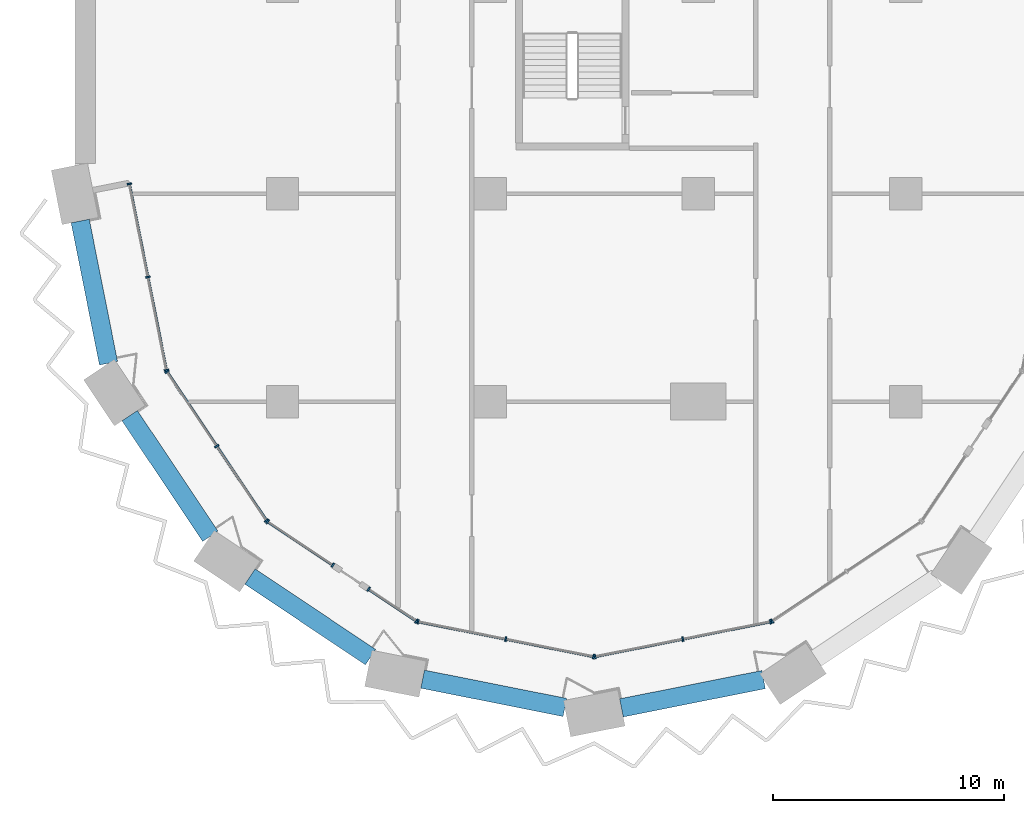
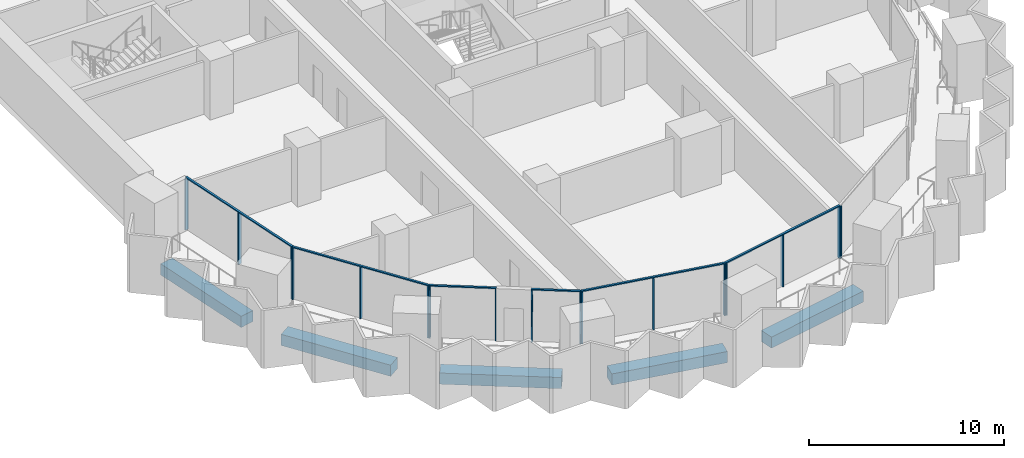
# One storey, part 2 of 29: 23 members, 5 beams, 7 elements without a shape of their own.
"""IFC4 building model written with IfcOpenShell, lengths in metres."""

from ifc_helpers import new_model, si_unit, direction, frame, origin, origin_2d, place, context, subcontext, project, spatial, rectangle, extrude, material, material_profile, profile_set, type_object, element, aggregate, save


model = new_model("IFC4")

# Units and contexts
model_context = context("Model", 3, precision=1e-05, world=origin(), true_north=direction((0.0, 1.0)))
body_context = subcontext(model_context, "Body", "Model", "MODEL_VIEW")
ifc_project = project(units=[si_unit("LENGTHUNIT", "METRE"), si_unit("AREAUNIT", "SQUARE_METRE"), si_unit("VOLUMEUNIT", "CUBIC_METRE"), si_unit("PLANEANGLEUNIT", "RADIAN"), si_unit("MASSUNIT", "GRAM", prefix="KILO")], contexts=[model_context])

# Site, building, storey
site_placement = place(None, origin())
site = spatial("IfcSite", under=ifc_project, at=site_placement, CompositionType="ELEMENT")
building_placement = place(site_placement, origin())
building = spatial("IfcBuilding", under=site, at=building_placement, Name="Hunhe Ridgeline Campus", CompositionType="ELEMENT")
storey_placement = place(building_placement, frame((0.0, 0.0, 65.39990234375)))
storey = spatial("IfcBuildingStorey", under=building, at=storey_placement, Name="L15", CompositionType="ELEMENT", Elevation=65.39990234375)

# Curtain wall, members
ifc_material_1 = material(Name="Aluminium 6063", Category="aluminium")
curtain_wall_type = type_object("IfcCurtainWallType", Name="Curtain wall CW-5", PredefinedType="NOTDEFINED", material=ifc_material_1)
curtain_wall_1_placement = place(storey_placement, origin())
curtain_wall_1 = element("IfcCurtainWall", 1, at=curtain_wall_1_placement, inside=storey, type_object=curtain_wall_type, Name="Curtain wall 01", PredefinedType="NOTDEFINED")
ifc_material_profile_1 = material_profile(ifc_material_1, rectangle(XDim=0.199951171875, YDim=0.070068359375, at=origin_2d()))
ifc_profile_set_1 = profile_set([ifc_material_profile_1], Name="Aluminium 6063")
member_type_1 = type_object("IfcMemberType", Name="CW-5 aluminium mullion", PredefinedType="MULLION", material=ifc_profile_set_1)
member_1_placement = place(storey_placement, frame((2.361572265625, 27.434326171875, 0.0), z_axis=(0.0, 0.0, 1.0), x_axis=(0.980784280831, 0.195095347137, 0.0)))
member_1 = element("IfcMember", 2, at=member_1_placement, type_object=member_type_1, Name="CW-5 mullion 1", PredefinedType="MULLION", context=body_context, shape_type="SweptSolid", body=[
    extrude(rectangle(XDim=0.199951171875, YDim=0.070068359375, at=origin_2d()), origin(), (0.0, 0.0, 1.0), 3.22998046875),
])
member_2_placement = place(storey_placement, frame((3.16455078125, 23.3974609375, 0.0), z_axis=(0.0, 0.0, 1.0), x_axis=(0.980784280831, 0.195095347137, 0.0)))
member_2 = element("IfcMember", 3, at=member_2_placement, type_object=member_type_1, Name="CW-5 mullion 2", PredefinedType="MULLION", context=body_context, shape_type="SweptSolid", body=[
    extrude(rectangle(XDim=0.199951171875, YDim=0.070068359375, at=origin_2d()), origin(), (0.0, 0.0, 1.0), 3.22998046875),
])
member_3_placement = place(storey_placement, frame((3.967529296875, 19.36083984375, 0.0), z_axis=(0.0, 0.0, 1.0), x_axis=(0.980784280831, 0.195095347137, 0.0)))
member_3 = element("IfcMember", 4, at=member_3_placement, type_object=member_type_1, Name="CW-5 mullion 3", PredefinedType="MULLION", context=body_context, shape_type="SweptSolid", body=[
    extrude(rectangle(XDim=0.199951171875, YDim=0.070068359375, at=origin_2d()), origin(), (0.0, 0.0, 1.0), 3.22998046875),
])

curtain_wall_2_placement = place(storey_placement, origin())
curtain_wall_2 = element("IfcCurtainWall", 5, at=curtain_wall_2_placement, inside=storey, type_object=curtain_wall_type, Name="Curtain wall 02", PredefinedType="NOTDEFINED")
member_4_placement = place(storey_placement, frame((3.993896484375, 19.29736328125, 0.0), z_axis=(0.0, 0.0, 1.0), x_axis=(0.831469584522, 0.555570274596, 0.0)))
member_4 = element("IfcMember", 6, at=member_4_placement, type_object=member_type_1, Name="CW-5 mullion 1", PredefinedType="MULLION", context=body_context, shape_type="SweptSolid", body=[
    extrude(rectangle(XDim=0.199951171875, YDim=0.070068359375, at=origin_2d()), origin(), (0.0, 0.0, 1.0), 3.22998046875),
])
member_5_placement = place(storey_placement, frame((6.147705078125, 16.07373046875, 0.0), z_axis=(0.0, 0.0, 1.0), x_axis=(0.831469584522, 0.555570274596, 0.0)))
member_5 = element("IfcMember", 7, at=member_5_placement, type_object=member_type_1, Name="CW-5 mullion 2", PredefinedType="MULLION", context=body_context, shape_type="SweptSolid", body=[
    extrude(rectangle(XDim=0.199951171875, YDim=0.070068359375, at=origin_2d()), origin(), (0.0, 0.0, 1.0), 3.22998046875),
])
member_6_placement = place(storey_placement, frame((8.3017578125, 12.850341796875, 0.0), z_axis=(0.0, 0.0, 1.0), x_axis=(0.831469584522, 0.555570274596, 0.0)))
member_6 = element("IfcMember", 8, at=member_6_placement, type_object=member_type_1, Name="CW-5 mullion 3", PredefinedType="MULLION", context=body_context, shape_type="SweptSolid", body=[
    extrude(rectangle(XDim=0.199951171875, YDim=0.070068359375, at=origin_2d()), origin(), (0.0, 0.0, 1.0), 3.22998046875),
])

curtain_wall_3_placement = place(storey_placement, origin())
curtain_wall_3 = element("IfcCurtainWall", 9, at=curtain_wall_3_placement, inside=storey, type_object=curtain_wall_type, Name="Curtain wall 03", PredefinedType="NOTDEFINED")
member_7_placement = place(storey_placement, frame((8.350341796875, 12.8017578125, 0.0), z_axis=(0.0, 0.0, 1.0), x_axis=(0.555570257501, 0.831469595944, 0.0)))
member_7 = element("IfcMember", 10, at=member_7_placement, type_object=member_type_1, Name="CW-5 mullion 1", PredefinedType="MULLION", context=body_context, shape_type="SweptSolid", body=[
    extrude(rectangle(XDim=0.199951171875, YDim=0.070068359375, at=origin_2d()), origin(), (0.0, 0.0, 1.0), 3.22998046875),
])
member_8_placement = place(storey_placement, frame((11.17041015625, 10.917236328125, 0.0), z_axis=(0.0, 0.0, 1.0), x_axis=(0.555570257501, 0.831469595944, 0.0)))
member_8 = element("IfcMember", 11, at=member_8_placement, type_object=member_type_1, Name="CW-5 mullion 2", PredefinedType="MULLION", context=body_context, shape_type="SweptSolid", body=[
    extrude(rectangle(XDim=0.199951171875, YDim=0.070068359375, at=origin_2d()), origin(), (0.0, 0.0, 1.0), 3.22998046875),
])

curtain_wall_4_placement = place(storey_placement, origin())
curtain_wall_4 = element("IfcCurtainWall", 12, at=curtain_wall_4_placement, inside=storey, type_object=curtain_wall_type, Name="Curtain wall 04", PredefinedType="NOTDEFINED")
member_9_placement = place(storey_placement, frame((12.725341796875, 9.87841796875, 0.0), z_axis=(0.0, 0.0, 1.0), x_axis=(0.555570385598, 0.831469510353, 0.0)))
member_9 = element("IfcMember", 13, at=member_9_placement, type_object=member_type_1, Name="CW-5 mullion 1", PredefinedType="MULLION", context=body_context, shape_type="SweptSolid", body=[
    extrude(rectangle(XDim=0.199951171875, YDim=0.070068359375, at=origin_2d()), origin(), (0.0, 0.0, 1.0), 3.22998046875),
])
member_10_placement = place(storey_placement, frame((14.79736328125, 8.493896484375, 0.0), z_axis=(0.0, 0.0, 1.0), x_axis=(0.555570385598, 0.831469510353, 0.0)))
member_10 = element("IfcMember", 14, at=member_10_placement, type_object=member_type_1, Name="CW-5 mullion 2", PredefinedType="MULLION", context=body_context, shape_type="SweptSolid", body=[
    extrude(rectangle(XDim=0.199951171875, YDim=0.070068359375, at=origin_2d()), origin(), (0.0, 0.0, 1.0), 3.22998046875),
])

curtain_wall_5_placement = place(storey_placement, origin())
curtain_wall_5 = element("IfcCurtainWall", 15, at=curtain_wall_5_placement, inside=storey, type_object=curtain_wall_type, Name="Curtain wall 05", PredefinedType="NOTDEFINED")
member_11_placement = place(storey_placement, frame((14.86083984375, 8.467529296875, 0.0), z_axis=(0.0, 0.0, 1.0), x_axis=(0.195090347539, 0.980785275326, 0.0)))
member_11 = element("IfcMember", 16, at=member_11_placement, type_object=member_type_1, Name="CW-5 mullion 1", PredefinedType="MULLION", context=body_context, shape_type="SweptSolid", body=[
    extrude(rectangle(XDim=0.199951171875, YDim=0.070068359375, at=origin_2d()), origin(), (0.0, 0.0, 1.0), 3.22998046875),
])
member_12_placement = place(storey_placement, frame((18.663330078125, 7.711181640625, 0.0), z_axis=(0.0, 0.0, 1.0), x_axis=(0.195090347539, 0.980785275326, 0.0)))
member_12 = element("IfcMember", 17, at=member_12_placement, type_object=member_type_1, Name="CW-5 mullion 2", PredefinedType="MULLION", context=body_context, shape_type="SweptSolid", body=[
    extrude(rectangle(XDim=0.199951171875, YDim=0.070068359375, at=origin_2d()), origin(), (0.0, 0.0, 1.0), 3.22998046875),
])
member_13_placement = place(storey_placement, frame((22.465576171875, 6.954833984375, 0.0), z_axis=(0.0, 0.0, 1.0), x_axis=(0.195090347539, 0.980785275326, 0.0)))
member_13 = element("IfcMember", 18, at=member_13_placement, type_object=member_type_1, Name="CW-5 mullion 3", PredefinedType="MULLION", context=body_context, shape_type="SweptSolid", body=[
    extrude(rectangle(XDim=0.199951171875, YDim=0.070068359375, at=origin_2d()), origin(), (0.0, 0.0, 1.0), 3.22998046875),
])

curtain_wall_6_placement = place(storey_placement, origin())
curtain_wall_6 = element("IfcCurtainWall", 19, at=curtain_wall_6_placement, inside=storey, type_object=curtain_wall_type, Name="Curtain wall 06", PredefinedType="NOTDEFINED")
member_14_placement = place(storey_placement, frame((22.534423828125, 6.954833984375, 0.0), z_axis=(0.0, 0.0, 1.0), x_axis=(-0.195090347539, 0.980785275326, 0.0)))
member_14 = element("IfcMember", 20, at=member_14_placement, type_object=member_type_1, Name="CW-5 mullion 1", PredefinedType="MULLION", context=body_context, shape_type="SweptSolid", body=[
    extrude(rectangle(XDim=0.199951171875, YDim=0.070068359375, at=origin_2d()), origin(), (0.0, 0.0, 1.0), 3.22998046875),
])
member_15_placement = place(storey_placement, frame((26.336669921875, 7.711181640625, 0.0), z_axis=(0.0, 0.0, 1.0), x_axis=(-0.195090347539, 0.980785275326, 0.0)))
member_15 = element("IfcMember", 21, at=member_15_placement, type_object=member_type_1, Name="CW-5 mullion 2", PredefinedType="MULLION", context=body_context, shape_type="SweptSolid", body=[
    extrude(rectangle(XDim=0.199951171875, YDim=0.070068359375, at=origin_2d()), origin(), (0.0, 0.0, 1.0), 3.22998046875),
])
member_16_placement = place(storey_placement, frame((30.13916015625, 8.467529296875, 0.0), z_axis=(0.0, 0.0, 1.0), x_axis=(-0.195090347539, 0.980785275326, 0.0)))
member_16 = element("IfcMember", 22, at=member_16_placement, type_object=member_type_1, Name="CW-5 mullion 3", PredefinedType="MULLION", context=body_context, shape_type="SweptSolid", body=[
    extrude(rectangle(XDim=0.199951171875, YDim=0.070068359375, at=origin_2d()), origin(), (0.0, 0.0, 1.0), 3.22998046875),
])

# Curtain wall, member
curtain_wall_7_placement = place(storey_placement, origin())
curtain_wall_7 = element("IfcCurtainWall", 23, at=curtain_wall_7_placement, inside=storey, type_object=curtain_wall_type, Name="Curtain wall 07", PredefinedType="NOTDEFINED")
member_17_placement = place(storey_placement, frame((30.20263671875, 8.493896484375, 0.0), z_axis=(0.0, 0.0, 1.0), x_axis=(-0.555570274596, 0.831469584522, 0.0)))
member_17 = element("IfcMember", 24, at=member_17_placement, type_object=member_type_1, Name="CW-5 mullion 1", PredefinedType="MULLION", context=body_context, shape_type="SweptSolid", body=[
    extrude(rectangle(XDim=0.199951171875, YDim=0.070068359375, at=origin_2d()), origin(), (0.0, 0.0, 1.0), 3.22998046875),
])
aggregate(curtain_wall_7, [member_17])

# Member
ifc_material_profile_2 = material_profile(ifc_material_1, rectangle(XDim=0.1201171875, YDim=0.070068359375, at=origin_2d()))
ifc_profile_set_2 = profile_set([ifc_material_profile_2], Name="Aluminium 6063")
member_type_2 = type_object("IfcMemberType", Name="CW-5 aluminium transom", PredefinedType="USERDEFINED", material=ifc_profile_set_2)
member_18_placement = place(storey_placement, frame((2.354736328125, 27.46875, 3.26513671875), z_axis=(0.195092405068, -0.980784866056, 0.0), x_axis=(0.980784866056, 0.195092405068, 0.0)))
member_18 = element("IfcMember", 25, at=member_18_placement, type_object=member_type_2, Name="CW-5 transom 1", ObjectType="TRANSOM", PredefinedType="USERDEFINED", context=body_context, shape_type="SweptSolid", body=[
    extrude(rectangle(XDim=0.1201171875, YDim=0.070068359375, at=origin_2d()), origin(), (0.0, 0.0, 1.0), 8.3017578125),
])

aggregate(curtain_wall_1, [member_18, member_1, member_2, member_3])

member_19_placement = place(storey_placement, frame((3.974365234375, 19.326416015625, 3.26513671875), z_axis=(0.5555640203, -0.831473763475, 0.0), x_axis=(0.831473763475, 0.5555640203, 0.0)))
member_19 = element("IfcMember", 26, at=member_19_placement, type_object=member_type_2, Name="CW-5 transom 1", ObjectType="TRANSOM", PredefinedType="USERDEFINED", context=body_context, shape_type="SweptSolid", body=[
    extrude(rectangle(XDim=0.1201171875, YDim=0.070068359375, at=origin_2d()), origin(), (0.0, 0.0, 1.0), 7.823974609375),
])

aggregate(curtain_wall_2, [member_19, member_4, member_5, member_6])

member_20_placement = place(storey_placement, frame((8.321044921875, 12.821044921875, 3.26513671875), z_axis=(0.831485714606, -0.555546133463, 0.0), x_axis=(0.555546133463, 0.831485714606, 0.0)))
member_20 = element("IfcMember", 27, at=member_20_placement, type_object=member_type_2, Name="CW-5 transom 1", ObjectType="TRANSOM", PredefinedType="USERDEFINED", context=body_context, shape_type="SweptSolid", body=[
    extrude(rectangle(XDim=0.1201171875, YDim=0.070068359375, at=origin_2d()), origin(), (0.0, 0.0, 1.0), 3.462158203125),
])

aggregate(curtain_wall_3, [member_20, member_7, member_8])

member_21_placement = place(storey_placement, frame((12.6962890625, 9.897705078125, 3.26513671875), z_axis=(0.831463388334, -0.555579547735, 0.0), x_axis=(0.555579547735, 0.831463388334, 0.0)))
member_21 = element("IfcMember", 28, at=member_21_placement, type_object=member_type_2, Name="CW-5 transom 1", ObjectType="TRANSOM", PredefinedType="USERDEFINED", context=body_context, shape_type="SweptSolid", body=[
    extrude(rectangle(XDim=0.1201171875, YDim=0.070068359375, at=origin_2d()), origin(), (0.0, 0.0, 1.0), 2.56201171875),
])

aggregate(curtain_wall_4, [member_21, member_9, member_10])

member_22_placement = place(storey_placement, frame((14.826416015625, 8.474365234375, 3.26513671875), z_axis=(0.980785367689, -0.195089883198, 0.0), x_axis=(0.195089883198, 0.980785367689, 0.0)))
member_22 = element("IfcMember", 29, at=member_22_placement, type_object=member_type_2, Name="CW-5 transom 1", ObjectType="TRANSOM", PredefinedType="USERDEFINED", context=body_context, shape_type="SweptSolid", body=[
    extrude(rectangle(XDim=0.1201171875, YDim=0.070068359375, at=origin_2d()), origin(), (0.0, 0.0, 1.0), 7.823974609375),
])

aggregate(curtain_wall_5, [member_22, member_11, member_12, member_13])

member_23_placement = place(storey_placement, frame((22.5, 6.947998046875, 3.26513671875), z_axis=(0.980785367689, 0.195089883198, 0.0), x_axis=(-0.195089883198, 0.980785367689, 0.0)))
member_23 = element("IfcMember", 30, at=member_23_placement, type_object=member_type_2, Name="CW-5 transom 1", ObjectType="TRANSOM", PredefinedType="USERDEFINED", context=body_context, shape_type="SweptSolid", body=[
    extrude(rectangle(XDim=0.1201171875, YDim=0.070068359375, at=origin_2d()), origin(), (0.0, 0.0, 1.0), 7.823974609375),
])

aggregate(curtain_wall_6, [member_23, member_14, member_15, member_16])

# Beams
ifc_material_2 = material(Name="Concrete C60", Category="concrete")
ifc_material_profile_3 = material_profile(ifc_material_2, rectangle(XDim=0.800048828125, YDim=0.699951171875, at=origin_2d()))
ifc_profile_set_3 = profile_set([ifc_material_profile_3], Name="Concrete C60")
beam_type = type_object("IfcBeamType", Name="RC spandrel beam 800x700 Concrete C60", PredefinedType="SPANDREL", material=ifc_profile_set_3)
for number, where, z_axis, x_axis, name in (
    (31, (0.234130859375, 25.822998046875, -0.599853515625), (0.195076855144, -0.980787959034, 0.0), (0.980787959034, 0.195076855144, 0.0), "Spandrel beam B1-1 L15"),
    (32, (2.37939453125, 17.391845703125, -0.599853515625), (0.555570106491, -0.831469696846, 0.0), (0.831469696846, 0.555570106491, 0.0), "Spandrel beam B1-2 L15"),
    (33, (7.587890625, 10.42333984375, -0.599853515625), (0.831469696846, -0.555570106491, 0.0), (0.555570106491, 0.831469696846, 0.0), "Spandrel beam B1-3 L15"),
    (34, (15.066650390625, 5.978515625, -0.599853515625), (0.980787959034, -0.195076855144, 0.0), (0.195076855144, 0.980787959034, 0.0), "Spandrel beam B1-4 L15"),
    (35, (23.677001953125, 4.734130859375, -0.599853515625), (0.980787959034, 0.195076855144, 0.0), (-0.195076855144, 0.980787959034, 0.0), "Spandrel beam B1-5 L15"),
):
    element("IfcBeam", number, at=place(storey_placement, frame(where, z_axis=z_axis, x_axis=x_axis)), inside=storey, type_object=beam_type, Name=name, PredefinedType="SPANDREL", context=body_context, shape_type="SweptSolid", body=[
        extrude(rectangle(XDim=0.800048828125, YDim=0.699951171875, at=origin_2d()), origin(), (0.0, 0.0, 1.0), 6.280029296875),
    ])

save(model, "model.ifc")
